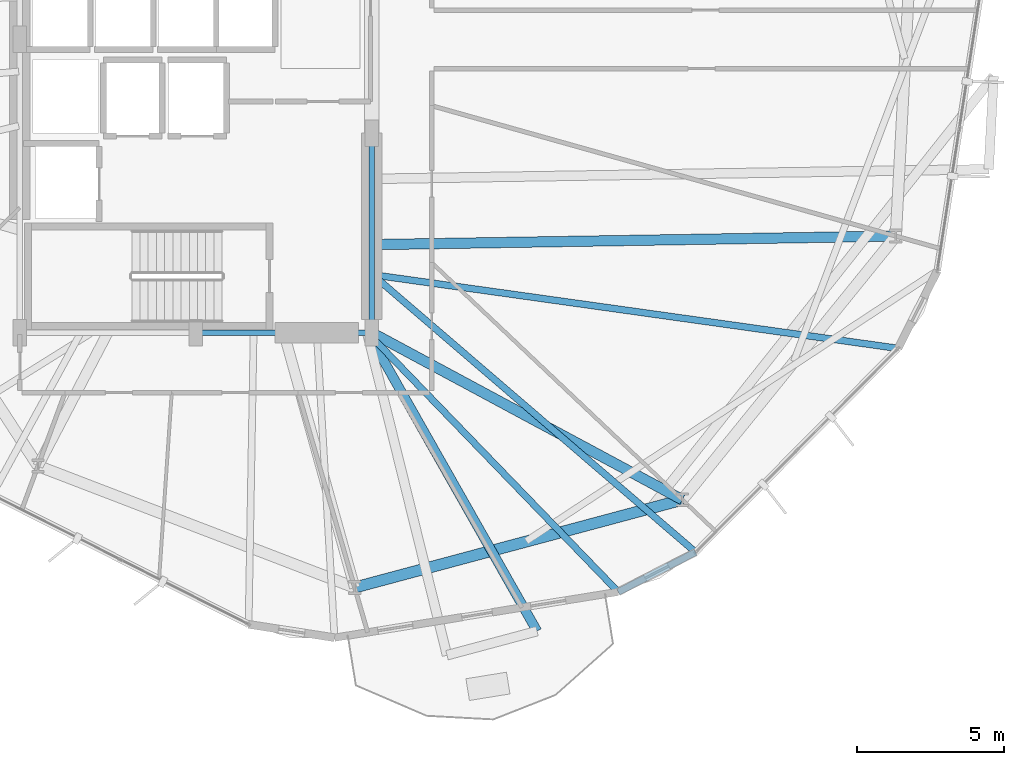
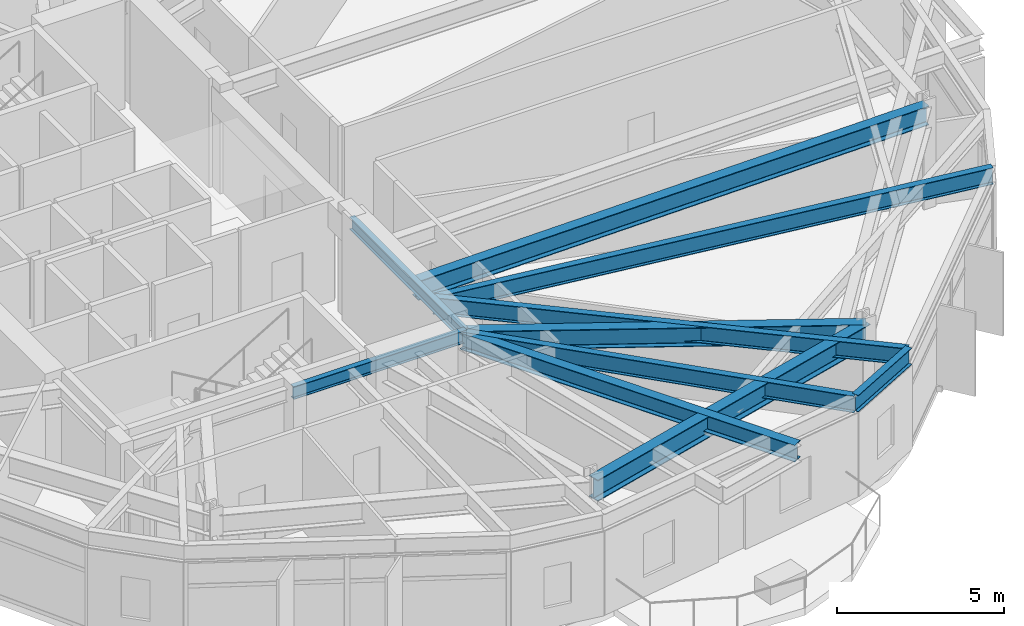
# One storey, part 5 of 23: 10 beams.
"""IFC4 building model written with IfcOpenShell, lengths in metres."""

from ifc_helpers import new_model, si_unit, direction, frame, origin, origin_2d, place, context, subcontext, project, spatial, i_section, extrude, material, material_profile, profile_set, type_object, element, save


model = new_model("IFC4")

# Units and contexts
model_context = context("Model", 3, precision=1e-05, world=origin(), true_north=direction((0.0, 1.0)))
body_context = subcontext(model_context, "Body", "Model", "MODEL_VIEW")
ifc_project = project(units=[si_unit("LENGTHUNIT", "METRE"), si_unit("AREAUNIT", "SQUARE_METRE"), si_unit("VOLUMEUNIT", "CUBIC_METRE"), si_unit("PLANEANGLEUNIT", "RADIAN"), si_unit("MASSUNIT", "GRAM", prefix="KILO")], contexts=[model_context])

# Site, building, storey
site_placement = place(None, origin())
site = spatial("IfcSite", under=ifc_project, at=site_placement, CompositionType="ELEMENT")
building_placement = place(site_placement, origin())
building = spatial("IfcBuilding", under=site, at=building_placement, Name="Soratama Intermodal Tower", CompositionType="ELEMENT")
storey_placement = place(building_placement, frame((0.0, 0.0, 62.60009765625)))
storey = spatial("IfcBuildingStorey", under=building, at=storey_placement, Name="L14", CompositionType="ELEMENT", Elevation=62.60009765625)

# Beams
ifc_material_1 = material(Name="Structural steel ASTM A992 Grade 50", Category="steel")
ifc_material_profile_1 = material_profile(ifc_material_1, i_section(OverallWidth=0.324951171875, OverallDepth=0.615966796875, WebThickness=0.013916015625, FlangeThickness=0.021484375, FilletRadius=0.013916015625, at=origin_2d()), Name="W24X117")
ifc_profile_set_1 = profile_set([ifc_material_profile_1], Name="Structural steel ASTM A992 Grade 50")
beam_type_1 = type_object("IfcBeamType", Name="BM-CANT-W24X117", PredefinedType="BEAM", material=ifc_profile_set_1)
beam_1_placement = place(storey_placement, frame((44.487060546875, 14.965087890625, 3.391845703125), z_axis=(0.493241768249, -0.869892268074, 0.0), x_axis=(0.869892268074, 0.493241768249, 0.0)))
element("IfcBeam", 1, at=beam_1_placement, inside=storey, type_object=beam_type_1, Name="BM-L14-CANT-3-2", PredefinedType="BEAM", context=body_context, shape_type="SweptSolid", body=[
    extrude(i_section(OverallWidth=0.324951171875, OverallDepth=0.615966796875, WebThickness=0.013916015625, FlangeThickness=0.021484375, FilletRadius=0.013916015625, at=origin_2d()), origin(), (0.0, 0.0, 1.0), 11.66357421875),
])
ifc_material_2 = material(Name="Structural steel ASTM A992 Grade 50", Category="steel")
ifc_material_profile_2 = material_profile(ifc_material_2, i_section(OverallWidth=0.19091796875, OverallDepth=0.4599609375, WebThickness=0.010009765625, FlangeThickness=0.01611328125, FilletRadius=0.010986328125, at=origin_2d()), Name="W18X55")
ifc_profile_set_2 = profile_set([ifc_material_profile_2], Name="Structural steel ASTM A992 Grade 50")
beam_type_2 = type_object("IfcBeamType", Name="BM-FLR-W18X55", PredefinedType="BEAM", material=ifc_profile_set_2)
beam_2_placement = place(storey_placement, frame((38.60009765625, 15.0, 3.469970703125), z_axis=(1.0, 0.0, 0.0), x_axis=(0.0, 1.0, 0.0)))
element("IfcBeam", 2, at=beam_2_placement, inside=storey, type_object=beam_type_2, Name="BM-L14-CRING-02", PredefinedType="BEAM", context=body_context, shape_type="SweptSolid", body=[
    extrude(i_section(OverallWidth=0.19091796875, OverallDepth=0.4599609375, WebThickness=0.010009765625, FlangeThickness=0.01611328125, FilletRadius=0.010986328125, at=origin_2d()), origin(), (0.0, 0.0, 1.0), 6.0),
])
beam_3_placement = place(storey_placement, frame((44.60009765625, 15.0, 3.469970703125), z_axis=(0.0, 1.0, 0.0), x_axis=(-1.0, 0.0, 0.0)))
element("IfcBeam", 3, at=beam_3_placement, inside=storey, type_object=beam_type_2, Name="BM-L14-CRING-03", PredefinedType="BEAM", context=body_context, shape_type="SweptSolid", body=[
    extrude(i_section(OverallWidth=0.19091796875, OverallDepth=0.4599609375, WebThickness=0.010009765625, FlangeThickness=0.01611328125, FilletRadius=0.010986328125, at=origin_2d()), origin(), (0.0, 0.0, 1.0), 6.800048828125),
])
ifc_material_3 = material(Name="Structural steel ASTM A992 Grade 50", Category="steel")
ifc_material_profile_3 = material_profile(ifc_material_3, i_section(OverallWidth=0.35498046875, OverallDepth=0.695068359375, WebThickness=0.015380859375, FlangeThickness=0.02490234375, FilletRadius=0.01611328125, at=origin_2d()), Name="W27X146")
ifc_profile_set_3 = profile_set([ifc_material_profile_3], Name="Structural steel ASTM A992 Grade 50")
beam_type_3 = type_object("IfcBeamType", Name="BM-RING-W27X146", PredefinedType="BEAM", material=ifc_profile_set_3)
beam_4_placement = place(storey_placement, frame((44.60009765625, 15.0, 3.352294921875), z_axis=(0.880663887759, -0.473741613961, 0.0), x_axis=(0.473741613961, 0.880663887759, 0.0)))
element("IfcBeam", 4, at=beam_4_placement, inside=storey, type_object=beam_type_3, Name="BM-L14-RAD-09", PredefinedType="BEAM", context=body_context, shape_type="SweptSolid", body=[
    extrude(i_section(OverallWidth=0.35498046875, OverallDepth=0.695068359375, WebThickness=0.015380859375, FlangeThickness=0.02490234375, FilletRadius=0.01611328125, at=origin_2d()), origin(), (0.0, 0.0, 1.0), 12.03173828125),
])
beam_5_placement = place(storey_placement, frame((44.60009765625, 18.0, 3.352294921875), z_axis=(0.999867526408, 0.016276659176, 0.0), x_axis=(-0.016276659176, 0.999867526408, 0.0)))
element("IfcBeam", 5, at=beam_5_placement, inside=storey, type_object=beam_type_3, Name="BM-L14-RAD-10", PredefinedType="BEAM", context=body_context, shape_type="SweptSolid", body=[
    extrude(i_section(OverallWidth=0.35498046875, OverallDepth=0.695068359375, WebThickness=0.015380859375, FlangeThickness=0.02490234375, FilletRadius=0.01611328125, at=origin_2d()), origin(), (0.0, 0.0, 1.0), 17.87939453125),
])
ifc_material_4 = material(Name="Structural steel ASTM A992 Grade 50", Category="steel")
ifc_material_profile_4 = material_profile(ifc_material_4, i_section(OverallWidth=0.382080078125, OverallDepth=0.779052734375, WebThickness=0.01806640625, FlangeThickness=0.030029296875, FilletRadius=0.01806640625, at=origin_2d()), Name="W30X191")
ifc_profile_set_4 = profile_set([ifc_material_profile_4], Name="Structural steel ASTM A992 Grade 50")
beam_type_4 = type_object("IfcBeamType", Name="BM-RING-W30X191", PredefinedType="BEAM", material=ifc_profile_set_4)
beam_6_placement = place(storey_placement, frame((44.02001953125, 6.305908203125, 3.310302734375), z_axis=(0.965935902196, 0.258781438376, 0.0), x_axis=(-0.258781438376, 0.965935902196, 0.0)))
element("IfcBeam", 6, at=beam_6_placement, inside=storey, type_object=beam_type_4, Name="BM-L14-RING-08", PredefinedType="BEAM", context=body_context, shape_type="SweptSolid", body=[
    extrude(i_section(OverallWidth=0.382080078125, OverallDepth=0.779052734375, WebThickness=0.01806640625, FlangeThickness=0.030029296875, FilletRadius=0.01806640625, at=origin_2d()), origin(), (0.0, 0.0, 1.0), 11.570068359375),
])
ifc_material_5 = material(Name="Structural steel ASTM A992 Grade 50", Category="steel")
ifc_material_profile_5 = material_profile(ifc_material_5, i_section(OverallWidth=0.22900390625, OverallDepth=0.612060546875, WebThickness=0.011962890625, FlangeThickness=0.01953125, FilletRadius=0.012939453125, at=origin_2d()), Name="W24X84")
ifc_profile_set_5 = profile_set([ifc_material_profile_5], Name="Structural steel ASTM A992 Grade 50")
beam_type_5 = type_object("IfcBeamType", Name="BM-SPN-W24X84", PredefinedType="SPANDREL", material=ifc_profile_set_5)
beam_7_placement = place(storey_placement, frame((53.009033203125, 6.156005859375, 3.393798828125), z_axis=(0.889585998818, 0.456767720736, 0.0), x_axis=(-0.456767720736, 0.889585998818, 0.0)))
element("IfcBeam", 7, at=beam_7_placement, inside=storey, type_object=beam_type_5, Name="BS-L14-CRN08", PredefinedType="SPANDREL", context=body_context, shape_type="SweptSolid", body=[
    extrude(i_section(OverallWidth=0.22900390625, OverallDepth=0.612060546875, WebThickness=0.011962890625, FlangeThickness=0.01953125, FilletRadius=0.012939453125, at=origin_2d()), origin(), (0.0, 0.0, 1.0), 2.966552734375),
])
ifc_material_6 = material(Name="Structural steel ASTM A992 Grade 50", Category="steel")
ifc_material_profile_6 = material_profile(ifc_material_6, i_section(OverallWidth=0.22900390625, OverallDepth=0.612060546875, WebThickness=0.011962890625, FlangeThickness=0.01953125, FilletRadius=0.012939453125, at=origin_2d()), Name="W24X84")
ifc_profile_set_6 = profile_set([ifc_material_profile_6], Name="Structural steel ASTM A992 Grade 50")
beam_type_6 = type_object("IfcBeamType", Name="BM-TIE-W24X84", PredefinedType="BEAM", material=ifc_profile_set_6)
beam_8_placement = place(storey_placement, frame((44.488037109375, 14.970947265625, 3.393798828125), z_axis=(0.695017292911, -0.718993019823, 0.0), x_axis=(0.718993019823, 0.695017292911, 0.0)))
element("IfcBeam", 8, at=beam_8_placement, inside=storey, type_object=beam_type_6, Name="BM-L14-TIE1-08", PredefinedType="BEAM", context=body_context, shape_type="SweptSolid", body=[
    extrude(i_section(OverallWidth=0.22900390625, OverallDepth=0.612060546875, WebThickness=0.011962890625, FlangeThickness=0.01953125, FilletRadius=0.012939453125, at=origin_2d()), origin(), (0.0, 0.0, 1.0), 12.260009765625),
])
beam_9_placement = place(storey_placement, frame((44.6298828125, 16.97607421875, 3.393798828125), z_axis=(0.758540720086, -0.651625640971, 0.0), x_axis=(0.651625640971, 0.758540720086, 0.0)))
element("IfcBeam", 9, at=beam_9_placement, inside=storey, type_object=beam_type_6, Name="BM-L14-TIE0-09", PredefinedType="BEAM", context=body_context, shape_type="SweptSolid", body=[
    extrude(i_section(OverallWidth=0.22900390625, OverallDepth=0.612060546875, WebThickness=0.011962890625, FlangeThickness=0.01953125, FilletRadius=0.012939453125, at=origin_2d()), origin(), (0.0, 0.0, 1.0), 14.525390625),
])
beam_10_placement = place(storey_placement, frame((44.639892578125, 16.971923828125, 3.393798828125), z_axis=(0.990328326299, -0.138743670591, 0.0), x_axis=(0.138743670591, 0.990328326299, 0.0)))
element("IfcBeam", 10, at=beam_10_placement, inside=storey, type_object=beam_type_6, Name="BM-L14-TIE1-09", PredefinedType="BEAM", context=body_context, shape_type="SweptSolid", body=[
    extrude(i_section(OverallWidth=0.22900390625, OverallDepth=0.612060546875, WebThickness=0.011962890625, FlangeThickness=0.01953125, FilletRadius=0.012939453125, at=origin_2d()), origin(), (0.0, 0.0, 1.0), 18.091064453125),
])

save(model, "model.ifc")
